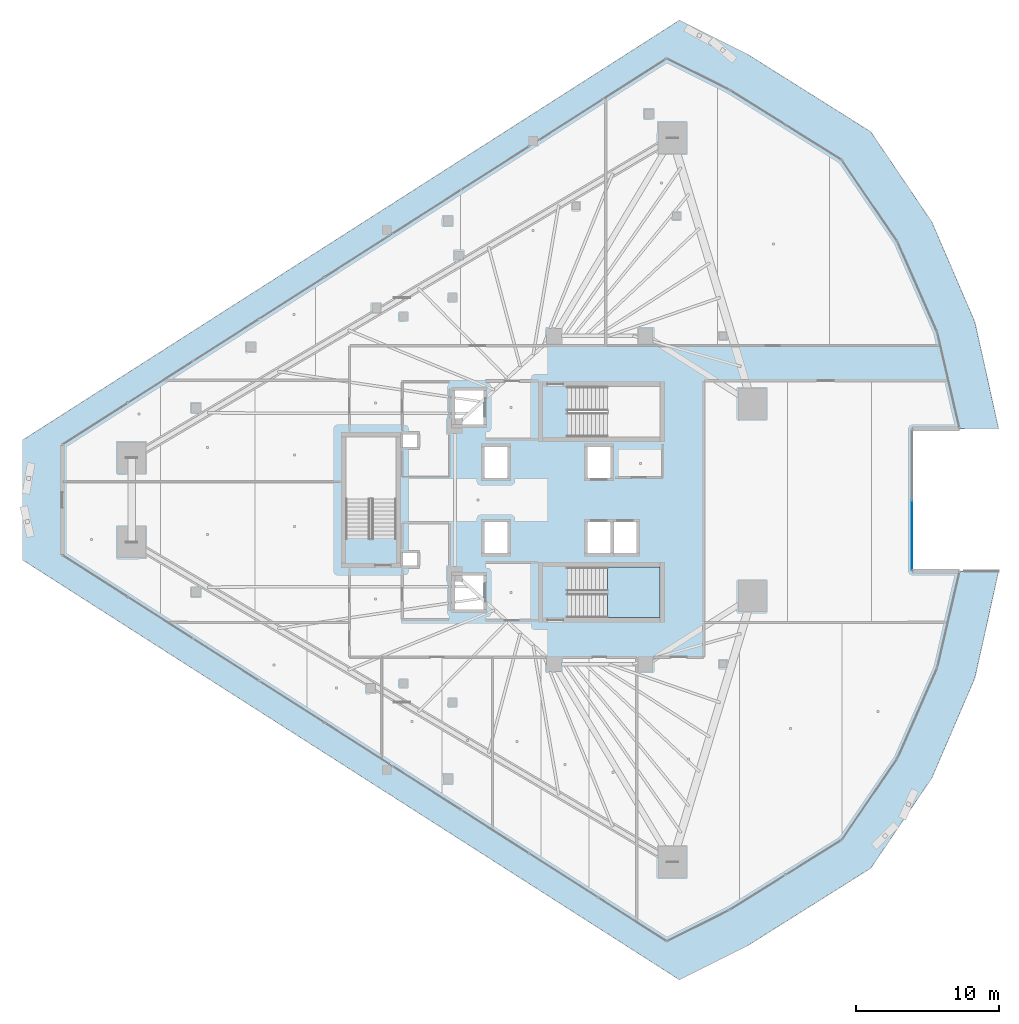
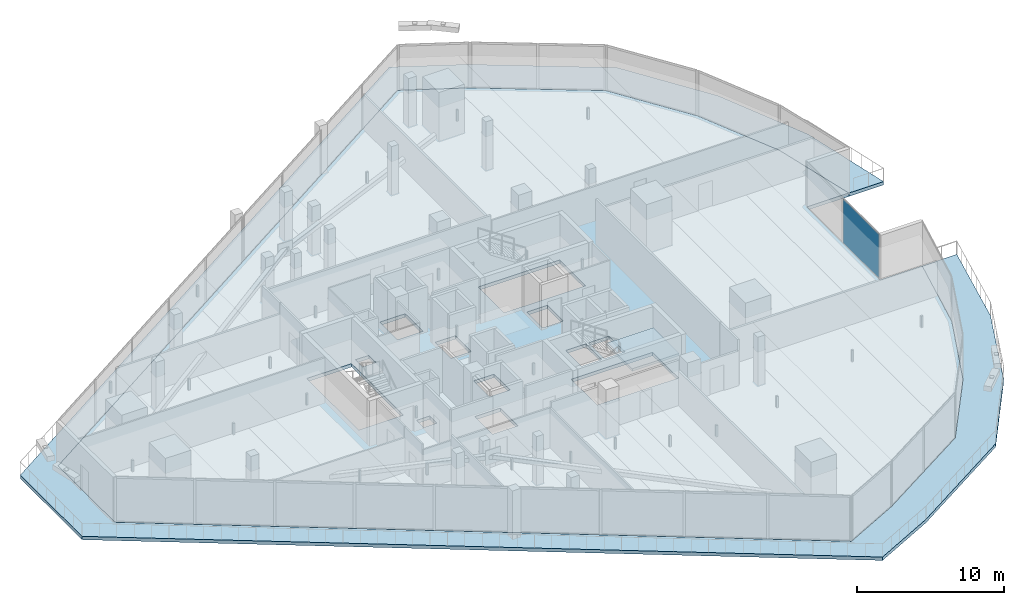
# One storey, part 28 of 45: 3 slabs, 1 plate, 2 elements without a shape of their own.
"""IFC4 building model written with IfcOpenShell, lengths in metres."""

from ifc_helpers import new_model, si_unit, direction, frame, origin, origin_2d, place, context, subcontext, project, spatial, polyline, rectangle, outline, extrude, material, layer, layer_set, type_object, element, aggregate, save


model = new_model("IFC4")

# Units and contexts
model_context = context("Model", 3, precision=1e-05, world=origin(), true_north=direction((0.0, 1.0)))
body_context = subcontext(model_context, "Body", "Model", "MODEL_VIEW")
ifc_project = project(units=[si_unit("LENGTHUNIT", "METRE"), si_unit("AREAUNIT", "SQUARE_METRE"), si_unit("VOLUMEUNIT", "CUBIC_METRE"), si_unit("PLANEANGLEUNIT", "RADIAN"), si_unit("MASSUNIT", "GRAM", prefix="KILO")], contexts=[model_context])

# Site, building, storey
site_placement = place(None, origin())
site = spatial("IfcSite", under=ifc_project, at=site_placement, CompositionType="ELEMENT")
building_placement = place(site_placement, origin())
building = spatial("IfcBuilding", under=site, at=building_placement, Name="Qorvath Tower", CompositionType="ELEMENT")
storey_placement = place(building_placement, frame((0.0, 0.0, 126.0)))
storey = spatial("IfcBuildingStorey", under=building, at=storey_placement, Name="L28", CompositionType="ELEMENT", Elevation=126.0)

# Curtain wall, plate
ifc_material_1 = material(Name="Anodised aluminium and triple low-E glass", Category="aluminium")
ifc_layer_1 = layer(ifc_material_1, 0.179931640625)
ifc_layer_set_1 = layer_set([ifc_layer_1], Name="CW-SYS-2")
curtain_wall_type = type_object("IfcCurtainWallType", Name="CW-SYS-2", PredefinedType="NOTDEFINED", material=ifc_layer_set_1)
curtain_wall_placement = place(storey_placement, origin())
curtain_wall = element("IfcCurtainWall", 1, at=curtain_wall_placement, inside=storey, type_object=curtain_wall_type, Name="Curtain Wall CW-2 CW-T-L28-9.1", PredefinedType="NOTDEFINED")
ifc_material_2 = material(Name="Low-E triple insulated glass", Category="glass")
ifc_layer_2 = layer(ifc_material_2, 0.031982421875)
ifc_layer_set_2 = layer_set([ifc_layer_2], Name="CWP-GLZ-32")
plate_type = type_object("IfcPlateType", Name="CWP-GLZ-32", PredefinedType="CURTAIN_PANEL", material=ifc_layer_set_2)
plate_placement = place(storey_placement, frame((1.386962890625, -2.4677734375, 0.06494140625), z_axis=(0.0, 0.0, 1.0), x_axis=(0.0, 1.0, 0.0)))
plate = element("IfcPlate", 2, at=plate_placement, type_object=plate_type, Name="CW-2 panel 1.1", PredefinedType="CURTAIN_PANEL", context=body_context, shape_type="SweptSolid", body=[
    extrude(rectangle(XDim=4.87060546875, YDim=0.031982421875, at=origin_2d()), origin(), (0.0, 0.0, 1.0), 3.639892578125),
])
aggregate(curtain_wall, [plate])

# Stair, slab
ifc_material_3 = material(Name="Concrete C50/60", Category="concrete")
stair_type = type_object("IfcStairType", Name="ST-H405", PredefinedType="HALF_TURN_STAIR", material=ifc_material_3)
stair_placement = place(storey_placement, origin())
stair = element("IfcStair", 3, at=stair_placement, inside=storey, type_object=stair_type, Name="L28 Tower Exit Stair 2", PredefinedType="HALF_TURN_STAIR")
ifc_material_4 = material(Name="Concrete C50/60", Category="concrete")
ifc_layer_3 = layer(ifc_material_4, 0.199951171875)
ifc_layer_set_3 = layer_set([ifc_layer_3], Name="SL-LND-200")
slab_type_1 = type_object("IfcSlabType", Name="SL-LND-200", PredefinedType="LANDING", material=ifc_layer_set_3)
slab_1_placement = place(storey_placement, frame((0.0, 0.0, 1.824951171875)))
slab_1 = element("IfcSlab", 4, at=slab_1_placement, type_object=slab_type_1, Name="TS2 landing 1", PredefinedType="LANDING", context=body_context, shape_type="SweptSolid", body=[
    extrude(outline(polyline([(-19.8701171875, -8.199951171875), (-16.199951171875, -8.199951171875), (-16.199951171875, -4.68994140625), (-19.8701171875, -4.68994140625), (-19.8701171875, -8.199951171875)])), origin(), (0.0, 0.0, 1.0), 0.199951171875),
])
aggregate(stair, [slab_1])

# Slabs
ifc_material_5 = material(Name="Precast concrete C45/55", Category="concrete")
ifc_layer_4 = layer(ifc_material_5, 0.280029296875)
ifc_layer_set_4 = layer_set([ifc_layer_4], Name="SL-LOG-280")
slab_type_2 = type_object("IfcSlabType", Name="SL-LOG-280", PredefinedType="FLOOR", material=ifc_layer_set_4)
slab_2_placement = place(storey_placement, frame((0.0, 0.0, -0.280029296875)))
element("IfcSlab", 5, at=slab_2_placement, inside=storey, type_object=slab_type_2, Name="Tower L28 Perimeter Loggia and Terrace Slab", PredefinedType="FLOOR", context=body_context, shape_type="SweptSolid", body=[
    extrude(outline(polyline([(4.698974609375, -4.968017578125), (3.144287109375, -11.692138671875), (0.372314453125, -18.012451171875), (-3.521240234375, -23.710693359375), (-11.33837890625, -28.590087890625), (-15.73681640625, -30.78955078125), (-57.88916015625, -3.8486328125), (-57.88916015625, 3.8486328125), (-15.73681640625, 30.78955078125), (-11.33837890625, 28.590087890625), (-3.521240234375, 23.710693359375), (0.372314453125, 18.012451171875), (3.144287109375, 11.692138671875), (4.698974609375, 4.968017578125), (7.4150390625, 4.968017578125), (5.77099609375, 12.39599609375), (2.762451171875, 19.38330078125), (-1.504150390625, 25.681884765625), (-10.06787109375, 31.06787109375), (-14.847412109375, 33.457763671875), (-60.652587890625, 4.18212890625), (-60.652587890625, -4.18212890625), (-14.847412109375, -33.457763671875), (-10.06787109375, -31.06787109375), (-1.504150390625, -25.681884765625), (2.762451171875, -19.38330078125), (5.77099609375, -12.39599609375), (7.4150390625, -4.968017578125), (4.698974609375, -4.968017578125)])), origin(), (0.0, 0.0, 1.0), 0.280029296875),
])
ifc_material_6 = material(Name="Concrete C45/55", Category="concrete")
ifc_layer_5 = layer(ifc_material_6, 0.280029296875)
ifc_layer_set_5 = layer_set([ifc_layer_5], Name="SL-TYP-280")
slab_type_3 = type_object("IfcSlabType", Name="SL-TYP-280", PredefinedType="FLOOR", material=ifc_layer_set_5)
slab_3_placement = place(storey_placement, frame((0.0, 0.0, -0.280029296875)))
element("IfcSlab", 6, at=slab_3_placement, inside=storey, type_object=slab_type_3, Name="Tower L28 Interior Floor Slab", PredefinedType="FLOOR", context=body_context, shape_type="SweptSolid", body=[
    extrude(outline(polyline([(-57.88916015625, 3.8486328125), (-57.88916015625, -3.8486328125), (-15.73681640625, -30.78955078125), (-11.33837890625, -28.590087890625), (-3.521240234375, -23.710693359375), (0.372314453125, -18.012451171875), (3.144287109375, -11.692138671875), (4.698974609375, -4.968017578125), (1.386962890625, -4.968017578125), (1.386962890625, 4.968017578125), (4.698974609375, 4.968017578125), (3.144287109375, 11.692138671875), (0.372314453125, 18.012451171875), (-3.521240234375, 23.710693359375), (-11.33837890625, 28.590087890625), (-15.73681640625, 30.78955078125), (-57.88916015625, 3.8486328125)]), holes=[polyline([(-16.2451171875, -8.199951171875), (-22.625, -8.199951171875), (-22.625, -4.68994140625), (-16.2451171875, -4.68994140625), (-16.2451171875, -8.199951171875)]), polyline([(-22.625, 4.39990234375), (-22.625, 7.909912109375), (-16.2451171875, 7.909912109375), (-16.2451171875, 4.39990234375), (-22.625, 4.39990234375)]), polyline([(-17.85009765625, -3.699951171875), (-19.449951171875, -3.699951171875), (-19.449951171875, -1.550048828125), (-17.85009765625, -1.550048828125), (-17.85009765625, -3.699951171875)]), polyline([(-21.25, -3.699951171875), (-21.25, -1.550048828125), (-19.64990234375, -1.550048828125), (-19.64990234375, -3.699951171875), (-21.25, -3.699951171875)]), polyline([(-21.25, 1.550048828125), (-21.25, 3.699951171875), (-19.64990234375, 3.699951171875), (-19.64990234375, 1.550048828125), (-21.25, 1.550048828125)]), polyline([(-28.449951171875, -3.699951171875), (-28.449951171875, -1.550048828125), (-26.85009765625, -1.550048828125), (-26.85009765625, -3.699951171875), (-28.449951171875, -3.699951171875)]), polyline([(-26.85009765625, 1.550048828125), (-28.449951171875, 1.550048828125), (-28.449951171875, 3.699951171875), (-26.85009765625, 3.699951171875), (-26.85009765625, 1.550048828125)]), polyline([(-28.5, -7.64990234375), (-30.5, -7.64990234375), (-30.5, -5.25), (-28.5, -5.25), (-28.5, -7.64990234375)]), polyline([(-30.5, 5.25), (-30.5, 7.64990234375), (-28.5, 7.64990234375), (-28.5, 5.25), (-30.5, 5.25)]), polyline([(-34.14990234375, -4.6201171875), (-34.14990234375, -3.64990234375), (-33.10009765625, -3.64990234375), (-33.10009765625, -4.6201171875), (-34.14990234375, -4.6201171875)]), polyline([(-34.14990234375, 3.64990234375), (-34.14990234375, 4.6201171875), (-33.10009765625, 4.6201171875), (-33.10009765625, 3.64990234375), (-34.14990234375, 3.64990234375)]), polyline([(-34.60009765625, -2.675048828125), (-38.110107421875, -2.675048828125), (-38.110107421875, 4.35498046875), (-34.60009765625, 4.35498046875), (-34.60009765625, -2.675048828125)])]), origin(), (0.0, 0.0, 1.0), 0.280029296875),
])

save(model, "model.ifc")
